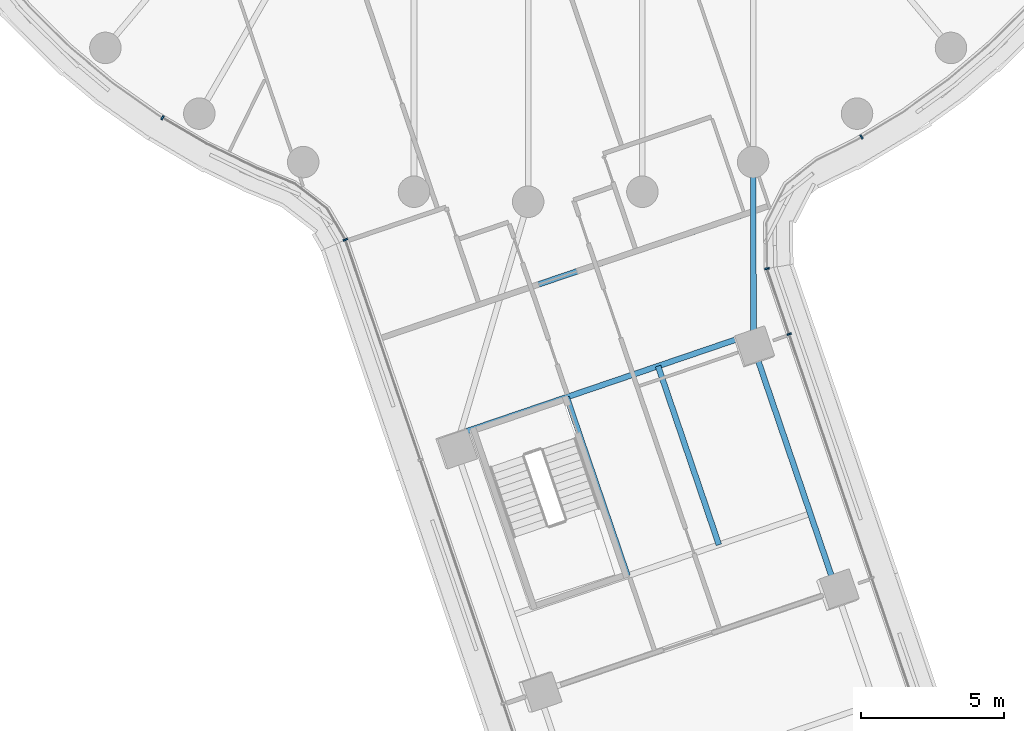
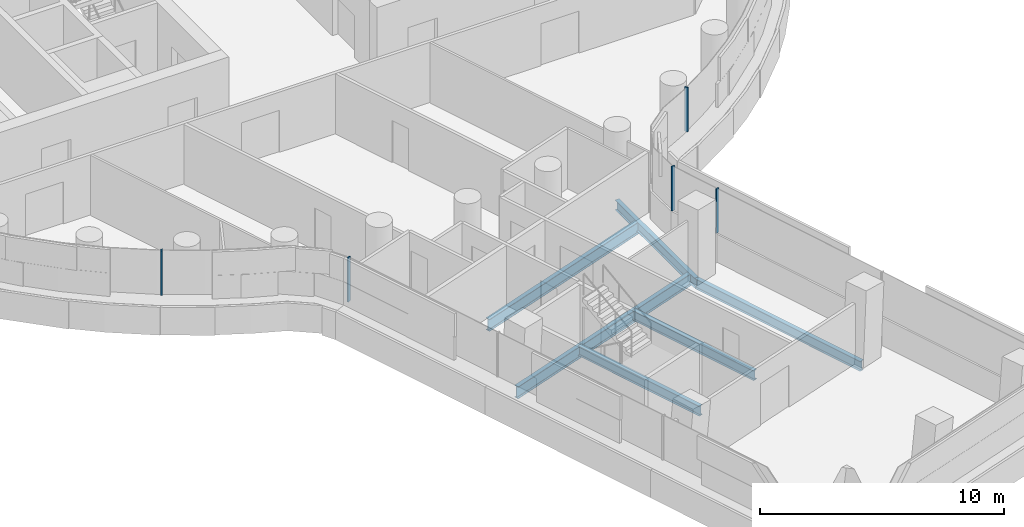
# One storey, part 3 of 29: 6 beams, 5 members, 4 elements without a shape of their own.
"""IFC4 building model written with IfcOpenShell, lengths in metres."""

from ifc_helpers import new_model, si_unit, direction, frame, origin, origin_2d, place, context, subcontext, project, spatial, rectangle, i_section, extrude, material, layer, layer_set, material_profile, profile_set, type_object, element, aggregate, save


model = new_model("IFC4")

# Units and contexts
model_context = context("Model", 3, precision=1e-05, world=origin(), true_north=direction((0.0, 1.0)))
body_context = subcontext(model_context, "Body", "Model", "MODEL_VIEW")
ifc_project = project(units=[si_unit("LENGTHUNIT", "METRE"), si_unit("AREAUNIT", "SQUARE_METRE"), si_unit("VOLUMEUNIT", "CUBIC_METRE"), si_unit("PLANEANGLEUNIT", "RADIAN"), si_unit("MASSUNIT", "GRAM", prefix="KILO")], contexts=[model_context])

# Site, building, storey
site_placement = place(None, origin())
site = spatial("IfcSite", under=ifc_project, at=site_placement, CompositionType="ELEMENT")
building_placement = place(site_placement, origin())
building = spatial("IfcBuilding", under=site, at=building_placement, Name="Tamarind Cross Interchange Tower", CompositionType="ELEMENT")
storey_placement = place(building_placement, frame((0.0, 0.0, 102.25)))
storey = spatial("IfcBuildingStorey", under=building, at=storey_placement, Name="L24", CompositionType="ELEMENT", Elevation=102.25)

# Beams
ifc_material_1 = material(Name="Steel Q355B", Category="steel")
ifc_material_profile_1 = material_profile(ifc_material_1, i_section(OverallWidth=0.198974609375, OverallDepth=0.49609375, WebThickness=0.009033203125, FlangeThickness=0.013916015625, FilletRadius=0.012939453125, at=origin_2d()), Name="HN 496x199x9x14")
ifc_profile_set_1 = profile_set([ifc_material_profile_1], Name="Steel Q355B")
beam_type_1 = type_object("IfcBeamType", Name="Composite beam HN 496x199x9x14 Q355B", PredefinedType="BEAM", material=ifc_profile_set_1)
beam_1_placement = place(storey_placement, frame((10.783447265625, -36.603271484375, -0.387939453125), z_axis=(-0.322373446849, 0.946612571629, 0.0), x_axis=(-0.946612571629, -0.322373446849, 0.0)))
element("IfcBeam", 1, at=beam_1_placement, inside=storey, type_object=beam_type_1, Name="Beam S-edgeep3", PredefinedType="BEAM", context=body_context, shape_type="SweptSolid", body=[
    extrude(i_section(OverallWidth=0.198974609375, OverallDepth=0.49609375, WebThickness=0.009033203125, FlangeThickness=0.013916015625, FilletRadius=0.012939453125, at=origin_2d()), origin(), (0.0, 0.0, 1.0), 9.0),
])
beam_2_placement = place(storey_placement, frame((7.882080078125, -28.083740234375, -0.387939453125), z_axis=(-0.002414722812, 0.999997084553, 0.0), x_axis=(-0.999997084553, -0.002414722812, 0.0)))
element("IfcBeam", 2, at=beam_2_placement, inside=storey, type_object=beam_type_1, Name="Beam S-linkep", PredefinedType="BEAM", context=body_context, shape_type="SweptSolid", body=[
    extrude(i_section(OverallWidth=0.198974609375, OverallDepth=0.49609375, WebThickness=0.009033203125, FlangeThickness=0.013916015625, FilletRadius=0.012939453125, at=origin_2d()), origin(), (0.0, 0.0, 1.0), 6.470703125),
])
for number, where, z_axis, x_axis, name in (
    (3, (1.347412109375, -29.833984375, -0.387939453125), (0.322380172008, -0.946610281318, 0.0), (0.946610281318, 0.322380172008, 0.0), "Beam S-tr1"),
    (4, (4.542236328125, -28.745849609375, -0.387939453125), (0.322380172008, -0.946610281318, 0.0), (0.946610281318, 0.322380172008, 0.0), "Beam S-stripp"),
):
    element("IfcBeam", number, at=place(storey_placement, frame(where, z_axis=z_axis, x_axis=x_axis)), inside=storey, type_object=beam_type_1, Name=name, PredefinedType="BEAM", context=body_context, shape_type="SweptSolid", body=[
        extrude(i_section(OverallWidth=0.198974609375, OverallDepth=0.49609375, WebThickness=0.009033203125, FlangeThickness=0.013916015625, FilletRadius=0.012939453125, at=origin_2d()), origin(), (0.0, 0.0, 1.0), 6.599853515625),
    ])
ifc_material_profile_2 = material_profile(ifc_material_1, i_section(OverallWidth=0.199951171875, OverallDepth=0.60009765625, WebThickness=0.010986328125, FlangeThickness=0.01708984375, FilletRadius=0.012939453125, at=origin_2d()), Name="HN 600x200x11x17")
ifc_profile_set_2 = profile_set([ifc_material_profile_2], Name="Steel Q355B")
beam_type_2 = type_object("IfcBeamType", Name="Composite beam HN 600x200x11x17 Q355B", PredefinedType="BEAM", material=ifc_profile_set_2)
beam_3_placement = place(storey_placement, frame((-2.375732421875, -31.101806640625, -0.43994140625), z_axis=(0.946612897147, 0.322372491002, 0.0), x_axis=(-0.322372491002, 0.946612897147, 0.0)))
element("IfcBeam", 5, at=beam_3_placement, inside=storey, type_object=beam_type_2, Name="Beam S-x298", PredefinedType="BEAM", context=body_context, shape_type="SweptSolid", body=[
    extrude(i_section(OverallWidth=0.199951171875, OverallDepth=0.60009765625, WebThickness=0.010986328125, FlangeThickness=0.01708984375, FilletRadius=0.012939453125, at=origin_2d()), origin(), (0.0, 0.0, 1.0), 10.8349609375),
])
beam_4_placement = place(storey_placement, frame((-0.98193359375, -26.3486328125, -0.43994140625), z_axis=(0.946616688223, 0.322361358692, 0.0), x_axis=(-0.322361358692, 0.946616688223, 0.0)))
element("IfcBeam", 6, at=beam_4_placement, inside=storey, type_object=beam_type_2, Name="Beam S-x258", PredefinedType="BEAM", context=body_context, shape_type="SweptSolid", body=[
    extrude(i_section(OverallWidth=0.199951171875, OverallDepth=0.60009765625, WebThickness=0.010986328125, FlangeThickness=0.01708984375, FilletRadius=0.012939453125, at=origin_2d()), origin(), (0.0, 0.0, 1.0), 9.351806640625),
])

# Curtain wall, member
ifc_material_2 = material(Name="Aluminium 6063-T6", Category="aluminium")
ifc_layer = layer(ifc_material_2, 0.159912109375)
ifc_layer_set = layer_set([ifc_layer], Name="Aluminium 6063-T6")
curtain_wall_type = type_object("IfcCurtainWallType", Name="Office curtain wall, 9.0 m bays", PredefinedType="NOTDEFINED", material=ifc_layer_set)
curtain_wall_1_placement = place(storey_placement, origin())
curtain_wall_1 = element("IfcCurtainWall", 7, at=curtain_wall_1_placement, inside=storey, type_object=curtain_wall_type, Name="CWS-L24-02", PredefinedType="NOTDEFINED")
ifc_material_profile_3 = material_profile(ifc_material_2, rectangle(XDim=0.06005859375, YDim=0.159912109375, at=origin_2d()), Name="Mullion CW1")
ifc_profile_set_3 = profile_set([ifc_material_profile_3], Name="Aluminium 6063-T6")
member_type = type_object("IfcMemberType", Name="Mullion CW1", PredefinedType="MULLION", material=ifc_profile_set_3)
member_1_placement = place(storey_placement, frame((-12.787841796875, -20.060302734375, 1.39990234375), z_axis=(0.0, 0.0, 1.0), x_axis=(0.861248933065, -0.508183308752, 0.0)))
member_1 = element("IfcMember", 8, at=member_1_placement, type_object=member_type, Name="CWM-L24-02-02", PredefinedType="MULLION", context=body_context, shape_type="SweptSolid", body=[
    extrude(rectangle(XDim=0.06005859375, YDim=0.159912109375, at=origin_2d()), origin(), (0.0, 0.0, 1.0), 2.210205078125),
])
aggregate(curtain_wall_1, [member_1])

curtain_wall_2_placement = place(storey_placement, origin())
curtain_wall_2 = element("IfcCurtainWall", 9, at=curtain_wall_2_placement, inside=storey, type_object=curtain_wall_type, Name="CWS-L24-03", PredefinedType="NOTDEFINED")
member_2_placement = place(storey_placement, frame((-6.391357421875, -24.326416015625, 1.39990234375), z_axis=(0.0, 0.0, 1.0), x_axis=(0.414246008774, -0.910164954398, 0.0)))
member_2 = element("IfcMember", 10, at=member_2_placement, type_object=member_type, Name="CWM-L24-03-00", PredefinedType="MULLION", context=body_context, shape_type="SweptSolid", body=[
    extrude(rectangle(XDim=0.06005859375, YDim=0.159912109375, at=origin_2d()), origin(), (0.0, 0.0, 1.0), 2.210205078125),
])
aggregate(curtain_wall_2, [member_2])

curtain_wall_3_placement = place(storey_placement, origin())
curtain_wall_3 = element("IfcCurtainWall", 11, at=curtain_wall_3_placement, inside=storey, type_object=curtain_wall_type, Name="CWS-L24-05", PredefinedType="NOTDEFINED")
member_3_placement = place(storey_placement, frame((9.12646484375, -27.627197265625, 1.39990234375), z_axis=(0.0, 0.0, 1.0), x_axis=(-0.320959297445, 0.947092988773, 0.0)))
member_3 = element("IfcMember", 12, at=member_3_placement, type_object=member_type, Name="CWM-L24-05-02", PredefinedType="MULLION", context=body_context, shape_type="SweptSolid", body=[
    extrude(rectangle(XDim=0.06005859375, YDim=0.159912109375, at=origin_2d()), origin(), (0.0, 0.0, 1.0), 2.210205078125),
])
aggregate(curtain_wall_3, [member_3])

# Curtain wall, members
curtain_wall_4_placement = place(storey_placement, origin())
curtain_wall_4 = element("IfcCurtainWall", 13, at=curtain_wall_4_placement, inside=storey, type_object=curtain_wall_type, Name="CWS-L24-06", PredefinedType="NOTDEFINED")
member_4_placement = place(storey_placement, frame((8.350830078125, -25.3388671875, 1.39990234375), z_axis=(0.0, 0.0, 1.0), x_axis=(-0.169628120607, 0.985508143396, 0.0)))
member_4 = element("IfcMember", 14, at=member_4_placement, type_object=member_type, Name="CWM-L24-06-00", PredefinedType="MULLION", context=body_context, shape_type="SweptSolid", body=[
    extrude(rectangle(XDim=0.06005859375, YDim=0.159912109375, at=origin_2d()), origin(), (0.0, 0.0, 1.0), 2.210205078125),
])
member_5_placement = place(storey_placement, frame((11.65625, -20.73388671875, 1.39990234375), z_axis=(0.0, 0.0, 1.0), x_axis=(0.856843065292, 0.515577308909, 0.0)))
member_5 = element("IfcMember", 15, at=member_5_placement, type_object=member_type, Name="CWM-L24-06-01", PredefinedType="MULLION", context=body_context, shape_type="SweptSolid", body=[
    extrude(rectangle(XDim=0.06005859375, YDim=0.159912109375, at=origin_2d()), origin(), (0.0, 0.0, 1.0), 2.210205078125),
])
aggregate(curtain_wall_4, [member_4, member_5])

save(model, "model.ifc")
